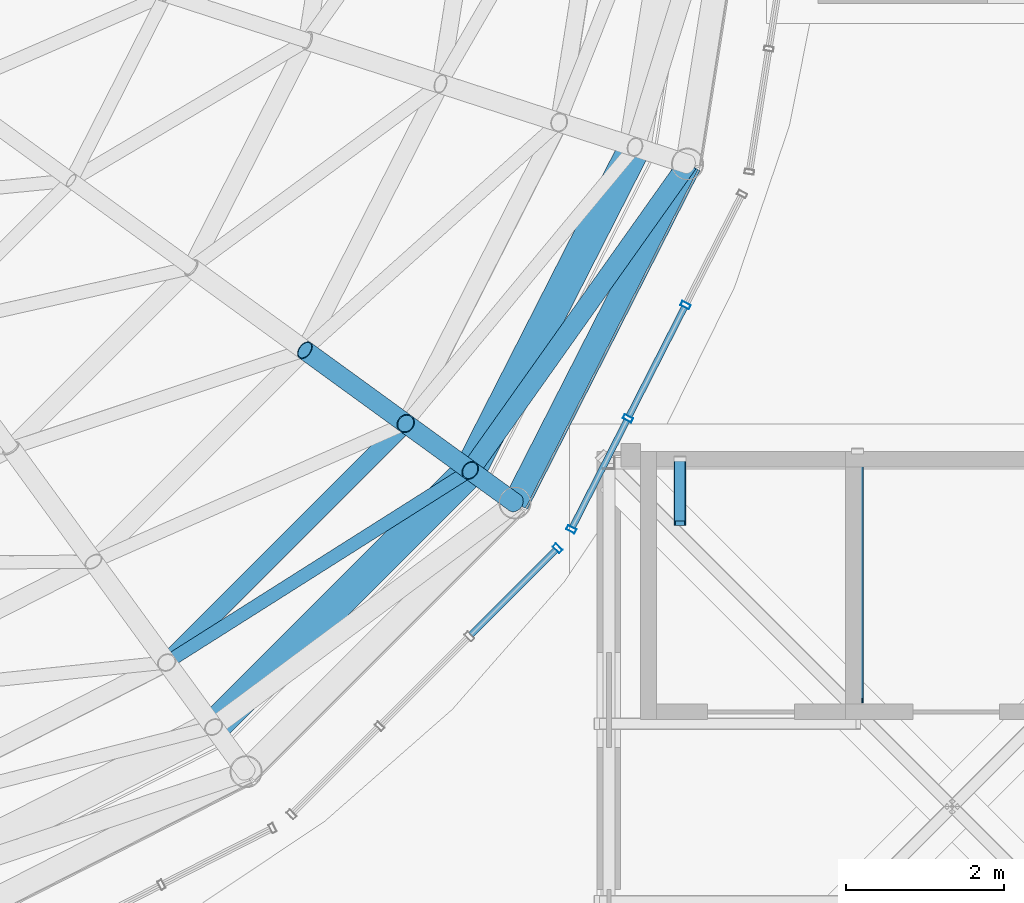
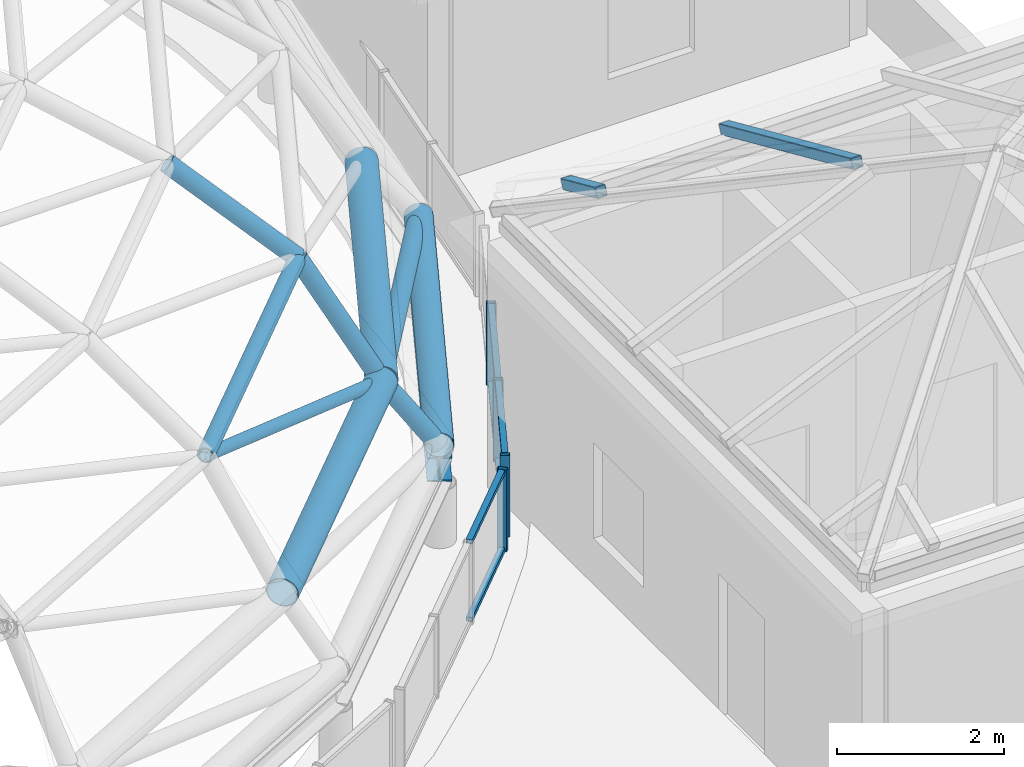
# One storey, part 29 of 69: 21 members, 1 beam, 2 elements without a shape of their own.
"""IFC4 building model written with IfcOpenShell, lengths in metres."""

from ifc_helpers import new_model, si_unit, direction, frame, origin, origin_2d, place, context, subcontext, project, spatial, hollow_rectangle, hollow_circle, i_section, extrude, material, layer, layer_set, material_profile, profile_set, type_object, element, aggregate, save


model = new_model("IFC4")

# Units and contexts
model_context = context("Model", 3, precision=1e-05, world=origin(), true_north=direction((0.0, 1.0)))
body_context = subcontext(model_context, "Body", "Model", "MODEL_VIEW")
ifc_project = project(units=[si_unit("LENGTHUNIT", "METRE"), si_unit("AREAUNIT", "SQUARE_METRE"), si_unit("VOLUMEUNIT", "CUBIC_METRE"), si_unit("PLANEANGLEUNIT", "RADIAN"), si_unit("MASSUNIT", "GRAM", prefix="KILO")], contexts=[model_context])

# Site, building, storey
site_placement = place(None, origin())
site = spatial("IfcSite", under=ifc_project, at=site_placement, CompositionType="ELEMENT")
building_placement = place(site_placement, origin())
building = spatial("IfcBuilding", under=site, at=building_placement, Name="Kallimachos Central Library", CompositionType="ELEMENT")
storey_placement = place(building_placement, frame((0.0, 0.0, 23.39990234375)))
storey = spatial("IfcBuildingStorey", under=building, at=storey_placement, Name="L05", CompositionType="ELEMENT", Elevation=23.39990234375)

# Members
ifc_material_1 = material(Name="Steel S355J2H", Category="steel")
ifc_material_profile_1 = material_profile(ifc_material_1, hollow_circle(Radius=0.084228515625, WallThickness=0.008056640625, at=origin_2d()), Name="CHS 168.3x8")
ifc_profile_set_1 = profile_set([ifc_material_profile_1], Name="Steel S355J2H")
member_type_1 = type_object("IfcMemberType", Name="CHS 168.3x8 dome diagonal", PredefinedType="BRACE", material=ifc_profile_set_1)
member_1_placement = place(storey_placement, frame((96.04638671875, 93.3251953125, 3.998779296875), z_axis=(0.790374252327, 0.500242584103, -0.353646572595), x_axis=(-0.534801956115, 0.844977436229, 0.0)))
element("IfcMember", 1, at=member_1_placement, inside=storey, type_object=member_type_1, Name="Dome diagonal DD-6-17", PredefinedType="BRACE", context=body_context, shape_type="SweptSolid", body=[
    extrude(hollow_circle(Radius=0.084228515625, WallThickness=0.008056640625, at=origin_2d()), origin(), (0.0, 0.0, 1.0), 4.8662109375),
])
ifc_material_2 = material(Name="Steel S355J2H", Category="steel")
ifc_material_profile_2 = material_profile(ifc_material_2, hollow_circle(Radius=0.109619140625, WallThickness=0.012451171875, at=origin_2d()), Name="CHS 219.1x12.5")
ifc_profile_set_2 = profile_set([ifc_material_profile_2], Name="Steel S355J2H")
member_type_2 = type_object("IfcMemberType", Name="CHS 219.1x12.5 dome ring", PredefinedType="PURLIN", material=ifc_profile_set_2)
member_2_placement = place(storey_placement, frame((96.04638671875, 93.3251953125, 3.998779296875), z_axis=(0.707078278585, 0.707135282639, 0.0), x_axis=(-0.707135282639, 0.707078278585, 0.0)))
element("IfcMember", 2, at=member_2_placement, inside=storey, type_object=member_type_2, Name="Dome ring DN-6-17", PredefinedType="PURLIN", context=body_context, shape_type="SweptSolid", body=[
    extrude(hollow_circle(Radius=0.109619140625, WallThickness=0.012451171875, at=origin_2d()), origin(), (0.0, 0.0, 1.0), 4.282958984375),
])
ifc_material_3 = material(Name="Steel S355J2H", Category="steel")
ifc_material_profile_3 = material_profile(ifc_material_3, hollow_circle(Radius=0.122314453125, WallThickness=0.012451171875, at=origin_2d()), Name="CHS 244.5x12.5")
ifc_profile_set_3 = profile_set([ifc_material_profile_3], Name="Steel S355J2H")
member_type_3 = type_object("IfcMemberType", Name="CHS 244.5x12.5 dome diagonal", PredefinedType="BRACE", material=ifc_profile_set_3)
member_3_placement = place(storey_placement, frame((99.892578125, 95.759521484375, 2.27783203125), z_axis=(0.568530455078, 0.80140665886, -0.185796901979), x_axis=(-0.815607884952, 0.578605027635, 0.0)))
element("IfcMember", 3, at=member_3_placement, inside=storey, type_object=member_type_3, Name="Dome diagonal DD-7-18", PredefinedType="BRACE", context=body_context, shape_type="SweptSolid", body=[
    extrude(hollow_circle(Radius=0.122314453125, WallThickness=0.012451171875, at=origin_2d()), origin(), (0.0, 0.0, 1.0), 4.843505859375),
])
ifc_material_4 = material(Name="Steel S355J2H", Category="steel")
ifc_material_profile_4 = material_profile(ifc_material_4, hollow_circle(Radius=0.122314453125, WallThickness=0.012451171875, at=origin_2d()), Name="CHS 244.5x12.5")
ifc_profile_set_4 = profile_set([ifc_material_profile_4], Name="Steel S355J2H")
member_type_4 = type_object("IfcMemberType", Name="CHS 244.5x12.5 dome rib", PredefinedType="RAFTER", material=ifc_profile_set_4)
member_4_placement = place(storey_placement, frame((97.796630859375, 97.282470703125, 5.268310546875), z_axis=(0.630605546142, -0.458227984245, -0.626389463217), x_axis=(0.587840865826, 0.808976585857, 0.0)))
element("IfcMember", 4, at=member_4_placement, inside=storey, type_object=member_type_4, Name="Dome rib DR-5-18", PredefinedType="RAFTER", context=body_context, shape_type="SweptSolid", body=[
    extrude(hollow_circle(Radius=0.122314453125, WallThickness=0.012451171875, at=origin_2d()), origin(), (0.0, 0.0, 1.0), 2.02685546875),
])
member_5_placement = place(storey_placement, frame((99.07470703125, 96.353759765625, 3.998779296875), z_axis=(0.409771732422, -0.297726685587, -0.862233116968), x_axis=(0.587798297127, 0.809007516588, 0.0)))
element("IfcMember", 5, at=member_5_placement, inside=storey, type_object=member_type_4, Name="Dome rib DR-6-18", PredefinedType="RAFTER", context=body_context, shape_type="SweptSolid", body=[
    extrude(hollow_circle(Radius=0.122314453125, WallThickness=0.012451171875, at=origin_2d()), origin(), (0.0, 0.0, 1.0), 1.995849609375),
])
member_6_placement = place(storey_placement, frame((99.892578125, 95.759521484375, 2.27783203125), z_axis=(0.496634430506, -0.360857703925, -0.789389612266), x_axis=(0.587819016355, 0.808992462271, 0.0)))
element("IfcMember", 6, at=member_6_placement, inside=storey, type_object=member_type_4, Name="Dome rib DR-7-18", PredefinedType="RAFTER", context=body_context, shape_type="SweptSolid", body=[
    extrude(hollow_circle(Radius=0.122314453125, WallThickness=0.012451171875, at=origin_2d()), origin(), (0.0, 0.0, 1.0), 1.139892578125),
])
ifc_material_5 = material(Name="Steel S355J2H", Category="steel")
ifc_material_profile_5 = material_profile(ifc_material_5, hollow_circle(Radius=0.177734375, WallThickness=0.008056640625, at=origin_2d()), Name="CHS 355.6x8")
ifc_profile_set_5 = profile_set([ifc_material_profile_5], Name="Steel S355J2H")
member_type_5 = type_object("IfcMemberType", Name="CHS 355.6x8 dome ring", PredefinedType="PURLIN", material=ifc_profile_set_5)
member_7_placement = place(storey_placement, frame((100.458740234375, 95.34814453125, 1.3779296875), z_axis=(0.454010794093, 0.890996183408, 0.0), x_axis=(-0.890996183408, 0.454010794093, 0.0)))
element("IfcMember", 7, at=member_7_placement, inside=storey, type_object=member_type_5, Name="Dome ring DN-8-18", PredefinedType="PURLIN", context=body_context, shape_type="SweptSolid", body=[
    extrude(hollow_circle(Radius=0.177734375, WallThickness=0.008056640625, at=origin_2d()), origin(), (0.0, 0.0, 1.0), 4.818115234375),
])
ifc_material_6 = material(Name="Steel S355J2H", Category="steel")
ifc_material_profile_6 = material_profile(ifc_material_6, hollow_circle(Radius=0.203125, WallThickness=0.012451171875, at=origin_2d()), Name="CHS 406.4x12.5")
ifc_profile_set_6 = profile_set([ifc_material_profile_6], Name="Steel S355J2H")
member_type_6 = type_object("IfcMemberType", Name="CHS 406.4x12.5 dome ring", PredefinedType="PURLIN", material=ifc_profile_set_6)
for number, where, z_axis, x_axis, name in (
    (8, (96.640380859375, 92.507568359375, 2.27783203125), (0.707133322739, 0.707080238637, 0.0), (-0.707080238637, 0.707133322739, 0.0), "Dome ring DN-7-17"),
    (9, (99.892578125, 95.759521484375, 2.27783203125), (0.453974288531, 0.891014784026, 0.0), (-0.891014784026, 0.453974288531, 0.0), "Dome ring DN-7-18"),
):
    element("IfcMember", number, at=place(storey_placement, frame(where, z_axis=z_axis, x_axis=x_axis)), inside=storey, type_object=member_type_6, Name=name, PredefinedType="PURLIN", context=body_context, shape_type="SweptSolid", body=[
        extrude(hollow_circle(Radius=0.203125, WallThickness=0.012451171875, at=origin_2d()), origin(), (0.0, 0.0, 1.0), 4.59912109375),
    ])

# Curtain wall, member
ifc_material_7 = material(Name="Anodised aluminium and laminated glass", Category="aluminium")
ifc_layer = layer(ifc_material_7, 0.159912109375)
ifc_layer_set = layer_set([ifc_layer], Name="Glass box curtain wall")
curtain_wall_type = type_object("IfcCurtainWallType", Name="Glass box curtain wall", PredefinedType="NOTDEFINED", material=ifc_layer_set)
curtain_wall_1_placement = place(storey_placement, origin())
curtain_wall_1 = element("IfcCurtainWall", 10, at=curtain_wall_1_placement, inside=storey, type_object=curtain_wall_type, Name="Drum clerestory facet 18", PredefinedType="NOTDEFINED")
ifc_material_8 = material(Name="Anodised aluminium", Category="aluminium")
ifc_material_profile_7 = material_profile(ifc_material_8, hollow_rectangle(XDim=0.06005859375, YDim=0.1201171875, WallThickness=0.00390625, at=origin_2d()), Name="ALU MULLION 60x120")
ifc_profile_set_7 = profile_set([ifc_material_profile_7], Name="Anodised aluminium")
member_type_7 = type_object("IfcMemberType", Name="Glass box mullion 60x120", PredefinedType="MULLION", material=ifc_profile_set_7)
member_8_placement = place(storey_placement, frame((100.99951171875, 94.772216796875, 0.0), z_axis=(0.0, 0.0, 1.0), x_axis=(0.707106781187, 0.707106781187, 0.0)))
member_8 = element("IfcMember", 11, at=member_8_placement, type_object=member_type_7, Name="CW52 mullion 4", PredefinedType="MULLION", context=body_context, shape_type="SweptSolid", body=[
    extrude(hollow_rectangle(XDim=0.06005859375, YDim=0.1201171875, WallThickness=0.00390625, at=origin_2d()), origin(), (0.0, 0.0, 1.0), 1.2001953125),
])

# Curtain wall, members
curtain_wall_2_placement = place(storey_placement, origin())
curtain_wall_2 = element("IfcCurtainWall", 12, at=curtain_wall_2_placement, inside=storey, type_object=curtain_wall_type, Name="Drum clerestory facet 19", PredefinedType="NOTDEFINED")
member_9_placement = place(storey_placement, frame((101.173828125, 95.011962890625, 0.0), z_axis=(0.0, 0.0, 1.0), x_axis=(0.453990803653, 0.891006369337, 0.0)))
member_9 = element("IfcMember", 13, at=member_9_placement, type_object=member_type_7, Name="CW53 mullion 1", PredefinedType="MULLION", context=body_context, shape_type="SweptSolid", body=[
    extrude(hollow_rectangle(XDim=0.06005859375, YDim=0.1201171875, WallThickness=0.00390625, at=origin_2d()), origin(), (0.0, 0.0, 1.0), 1.2001953125),
])
member_10_placement = place(storey_placement, frame((101.890869140625, 96.419189453125, 0.0), z_axis=(0.0, 0.0, 1.0), x_axis=(0.453990803653, 0.891006369337, 0.0)))
member_10 = element("IfcMember", 14, at=member_10_placement, type_object=member_type_7, Name="CW53 mullion 2", PredefinedType="MULLION", context=body_context, shape_type="SweptSolid", body=[
    extrude(hollow_rectangle(XDim=0.06005859375, YDim=0.1201171875, WallThickness=0.00390625, at=origin_2d()), origin(), (0.0, 0.0, 1.0), 1.2001953125),
])
member_11_placement = place(storey_placement, frame((102.621337890625, 97.85302734375, 0.0), z_axis=(0.0, 0.0, 1.0), x_axis=(0.453990803653, 0.891006369337, 0.0)))
member_11 = element("IfcMember", 15, at=member_11_placement, type_object=member_type_7, Name="CW53 mullion 3", PredefinedType="MULLION", context=body_context, shape_type="SweptSolid", body=[
    extrude(hollow_rectangle(XDim=0.06005859375, YDim=0.1201171875, WallThickness=0.00390625, at=origin_2d()), origin(), (0.0, 0.0, 1.0), 1.2001953125),
])

# Member
ifc_material_9 = material(Name="Anodised aluminium", Category="aluminium")
ifc_material_profile_8 = material_profile(ifc_material_9, hollow_rectangle(XDim=0.06005859375, YDim=0.080078125, WallThickness=0.00390625, at=origin_2d()), Name="ALU TRANSOM 60x80")
ifc_profile_set_8 = profile_set([ifc_material_profile_8], Name="Anodised aluminium")
member_type_8 = type_object("IfcMemberType", Name="Glass box transom 60x80", PredefinedType="USERDEFINED", material=ifc_profile_set_8)
member_12_placement = place(storey_placement, frame((99.904052734375, 93.676513671875, 0.030029296875), z_axis=(0.707026432709, 0.707187120535, 0.0), x_axis=(0.0, 0.0, 1.0)))
member_12 = element("IfcMember", 16, at=member_12_placement, type_object=member_type_8, Name="CW52 transom 3.1", ObjectType="TRANSOM", PredefinedType="USERDEFINED", context=body_context, shape_type="SweptSolid", body=[
    extrude(hollow_rectangle(XDim=0.06005859375, YDim=0.080078125, WallThickness=0.00390625, at=origin_2d()), origin(), (0.0, 0.0, 1.0), 1.519287109375),
])

member_13_placement = place(storey_placement, frame((99.904052734375, 93.676513671875, 1.170166015625), z_axis=(0.707026432709, 0.707187120535, 0.0), x_axis=(0.0, 0.0, 1.0)))
member_13 = element("IfcMember", 17, at=member_13_placement, type_object=member_type_8, Name="CW52 transom 3.2", ObjectType="TRANSOM", PredefinedType="USERDEFINED", context=body_context, shape_type="SweptSolid", body=[
    extrude(hollow_rectangle(XDim=0.06005859375, YDim=0.080078125, WallThickness=0.00390625, at=origin_2d()), origin(), (0.0, 0.0, 1.0), 1.519287109375),
])

aggregate(curtain_wall_1, [member_8, member_12, member_13])

member_14_placement = place(storey_placement, frame((101.187255859375, 95.03857421875, 0.030029296875), z_axis=(0.454077415739, 0.890962232935, 0.0), x_axis=(0.0, 0.0, 1.0)))
member_14 = element("IfcMember", 18, at=member_14_placement, type_object=member_type_8, Name="CW53 transom 1.1", ObjectType="TRANSOM", PredefinedType="USERDEFINED", context=body_context, shape_type="SweptSolid", body=[
    extrude(hollow_rectangle(XDim=0.06005859375, YDim=0.080078125, WallThickness=0.00390625, at=origin_2d()), origin(), (0.0, 0.0, 1.0), 1.51953125),
])

member_15_placement = place(storey_placement, frame((101.187255859375, 95.03857421875, 1.170166015625), z_axis=(0.454077415739, 0.890962232935, 0.0), x_axis=(0.0, 0.0, 1.0)))
member_15 = element("IfcMember", 19, at=member_15_placement, type_object=member_type_8, Name="CW53 transom 1.2", ObjectType="TRANSOM", PredefinedType="USERDEFINED", context=body_context, shape_type="SweptSolid", body=[
    extrude(hollow_rectangle(XDim=0.06005859375, YDim=0.080078125, WallThickness=0.00390625, at=origin_2d()), origin(), (0.0, 0.0, 1.0), 1.51953125),
])

member_16_placement = place(storey_placement, frame((101.904296875, 96.44580078125, 0.030029296875), z_axis=(0.454069746973, 0.890966141267, 0.0), x_axis=(0.0, 0.0, 1.0)))
member_16 = element("IfcMember", 20, at=member_16_placement, type_object=member_type_8, Name="CW53 transom 2.1", ObjectType="TRANSOM", PredefinedType="USERDEFINED", context=body_context, shape_type="SweptSolid", body=[
    extrude(hollow_rectangle(XDim=0.06005859375, YDim=0.080078125, WallThickness=0.00390625, at=origin_2d()), origin(), (0.0, 0.0, 1.0), 1.549560546875),
])

member_17_placement = place(storey_placement, frame((101.904296875, 96.44580078125, 1.170166015625), z_axis=(0.454069746973, 0.890966141267, 0.0), x_axis=(0.0, 0.0, 1.0)))
member_17 = element("IfcMember", 21, at=member_17_placement, type_object=member_type_8, Name="CW53 transom 2.2", ObjectType="TRANSOM", PredefinedType="USERDEFINED", context=body_context, shape_type="SweptSolid", body=[
    extrude(hollow_rectangle(XDim=0.06005859375, YDim=0.080078125, WallThickness=0.00390625, at=origin_2d()), origin(), (0.0, 0.0, 1.0), 1.549560546875),
])

aggregate(curtain_wall_2, [member_9, member_10, member_11, member_14, member_15, member_16, member_17])

# Beam
ifc_material_10 = material(Name="Steel S355J2", Category="steel")
ifc_material_profile_9 = material_profile(ifc_material_10, i_section(OverallWidth=0.300048828125, OverallDepth=0.360107421875, WebThickness=0.012451171875, FlangeThickness=0.0224609375, FilletRadius=0.027099609375, at=origin_2d()), Name="HEB 360")
ifc_profile_set_9 = profile_set([ifc_material_profile_9], Name="Steel S355J2")
beam_type = type_object("IfcBeamType", Name="HEB 360 beam", PredefinedType="BEAM", material=ifc_profile_set_9)
beam_placement = place(storey_placement, frame((100.458984375, 95.34814453125, 1.02001953125), z_axis=(0.453970566426, 0.891016680438, 0.0), x_axis=(-0.891016680438, 0.453970566426, 0.0)))
element("IfcBeam", 22, at=beam_placement, inside=storey, type_object=beam_type, Name="V1-BEM-L05-019", PredefinedType="BEAM", context=body_context, shape_type="SweptSolid", body=[
    extrude(i_section(OverallWidth=0.300048828125, OverallDepth=0.360107421875, WebThickness=0.012451171875, FlangeThickness=0.0224609375, FilletRadius=0.027099609375, at=origin_2d()), origin(), (0.0, 0.0, 1.0), 4.818115234375),
])

# Members
ifc_material_11 = material(Name="Steel S355J2H", Category="steel")
ifc_material_profile_10 = material_profile(ifc_material_11, hollow_rectangle(XDim=0.14990234375, YDim=0.14990234375, WallThickness=0.010009765625, InnerFilletRadius=0.010009765625, OuterFilletRadius=0.014892578125, at=origin_2d()), Name="SHS 150x150x10")
ifc_profile_set_10 = profile_set([ifc_material_profile_10], Name="Steel S355J2H")
member_type_9 = type_object("IfcMemberType", Name="SHS 150x150x10 rafter", PredefinedType="RAFTER", material=ifc_profile_set_10)
member_18_placement = place(storey_placement, frame((102.550048828125, 95.89990234375, 4.159912109375), z_axis=(0.0, -0.913527399839, 0.406777199144), x_axis=(1.0, 0.0, 0.0)))
element("IfcMember", 23, at=member_18_placement, inside=storey, type_object=member_type_9, Name="Head-house roof V1-SE rafter", PredefinedType="RAFTER", context=body_context, shape_type="SweptSolid", body=[
    extrude(hollow_rectangle(XDim=0.14990234375, YDim=0.14990234375, WallThickness=0.010009765625, InnerFilletRadius=0.010009765625, OuterFilletRadius=0.014892578125, at=origin_2d()), origin(), (0.0, 0.0, 1.0), 0.886474609375),
])
member_19_placement = place(storey_placement, frame((104.800048828125, 96.0, 4.115478515625), z_axis=(0.0, -0.913561058639, 0.406701600856), x_axis=(1.0, 0.0, 0.0)))
element("IfcMember", 24, at=member_19_placement, inside=storey, type_object=member_type_9, Name="Head-house roof V1-SE rafter", PredefinedType="RAFTER", context=body_context, shape_type="SweptSolid", body=[
    extrude(hollow_rectangle(XDim=0.14990234375, YDim=0.14990234375, WallThickness=0.010009765625, InnerFilletRadius=0.010009765625, OuterFilletRadius=0.014892578125, at=origin_2d()), origin(), (0.0, 0.0, 1.0), 3.458984375),
])

save(model, "model.ifc")
